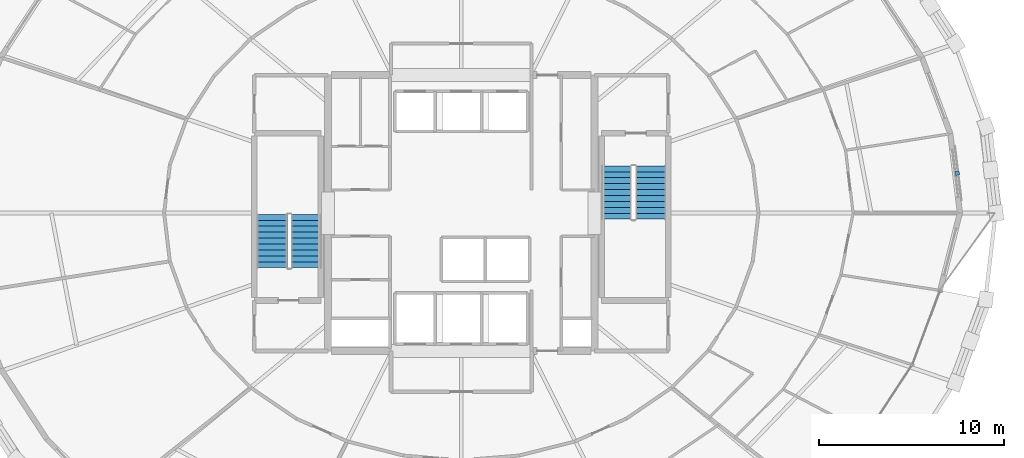
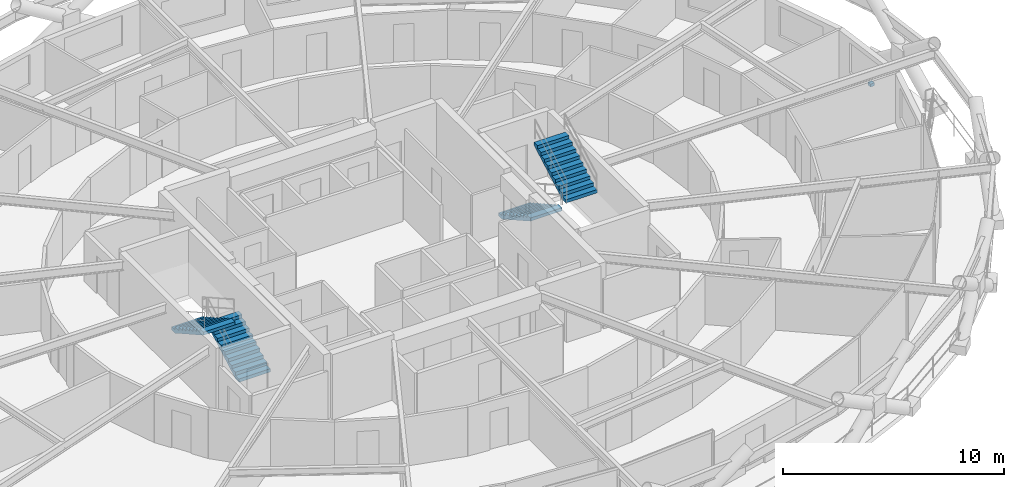
# One storey, part 20 of 23: 4 stair flights, 1 discrete accessory, 2 elements without a shape of their own.
"""IFC4 building model written with IfcOpenShell, lengths in metres."""

import ifcopenshell
import ifcopenshell.guid

model = None  # the IFC model being written
_history = None  # IfcOwnerHistory: only IFC2X3 demands one
_inside = {}  # id of a spatial element -> (the spatial element, [elements in it])
_under = {}  # id of a project, library or spatial element -> (it, [spatial elements below it])
_declared = {}  # id of a project -> (the project, [libraries it declares])
_typed = {}  # id of a type object -> (the type object, [elements of that type])
_made_of = {}  # id of a material, layer set ... -> (it, [elements and type objects made of it])


def new_model(schema):
    """Start an empty IFC model of exactly this schema.

    Asked for "IFC4X3", IfcOpenShell would pick the latest addendum, in which some entities
    have other attributes; the version numbers below select the first issue.
    IFC2X3 requires an IfcOwnerHistory on every rooted entity: one is made here for all.
    """
    global model, _history
    if schema == "IFC4X3":
        model = ifcopenshell.file(schema_version=(4, 3, 0, 0))
    else:
        model = ifcopenshell.file(schema=schema)
    _inside.clear()
    _under.clear()
    _declared.clear()
    _typed.clear()
    _made_of.clear()
    _history = None
    if model.schema == "IFC2X3":
        org = make("IfcOrganization", Name="unknown")
        user = make(
            "IfcPersonAndOrganization",
            ThePerson=make("IfcPerson", FamilyName="unknown"),
            TheOrganization=org,
        )
        app = make(
            "IfcApplication",
            ApplicationDeveloper=org,
            Version="unknown",
            ApplicationFullName="unknown",
            ApplicationIdentifier="unknown",
        )
        _history = make(
            "IfcOwnerHistory",
            OwningUser=user,
            OwningApplication=app,
            ChangeAction="ADDED",
            CreationDate=0,
        )
    return model


def make(cls, **values):
    """One entity of the class cls with the attributes given. An attribute that is None is left unset."""
    return model.create_entity(
        cls, **{name: value for name, value in values.items() if value is not None}
    )


def rooted(cls, **values):
    """An entity with a GlobalId (a new one), such as an element, a storey or a relation."""
    return make(cls, GlobalId=ifcopenshell.guid.new(), OwnerHistory=_history, **values)


def si_unit(unit_type, name, prefix=None):
    """IfcSIUnit, for example si_unit("LENGTHUNIT", "METRE", prefix="MILLI")."""
    return make("IfcSIUnit", UnitType=unit_type, Prefix=prefix, Name=name)


def assignment(units):
    """IfcUnitAssignment: the units of a project."""
    return None if units is None else make("IfcUnitAssignment", Units=units)


def point(xyz):
    """IfcCartesianPoint."""
    return None if xyz is None else make("IfcCartesianPoint", Coordinates=xyz)


def direction(xyz):
    """IfcDirection."""
    return None if xyz is None else make("IfcDirection", DirectionRatios=xyz)


def frame(location, z_axis=None, x_axis=None):
    """IfcAxis2Placement3D, a coordinate frame: its origin and axes. An axis left out is left unset."""
    return make(
        "IfcAxis2Placement3D",
        Location=point(location),
        Axis=direction(z_axis),
        RefDirection=direction(x_axis),
    )


def frame_2d(location, x_axis=None):
    """IfcAxis2Placement2D, a coordinate frame in the plane: its origin and x axis."""
    return make(
        "IfcAxis2Placement2D", Location=point(location), RefDirection=direction(x_axis)
    )


def origin():
    """The frame at (0, 0, 0) with its axes left unset."""
    return frame((0.0, 0.0, 0.0))


def origin_2d():
    """The frame at (0, 0) in the plane with its x axis left unset."""
    return frame_2d((0.0, 0.0))


def place(relative_to, where):
    """IfcLocalPlacement: puts the frame where relative to a parent placement (None: the world)."""
    return make(
        "IfcLocalPlacement", PlacementRelTo=relative_to, RelativePlacement=where
    )


def context(
    kind, dimensions, precision=None, world=None, true_north=None, identifier=None
):
    """IfcGeometricRepresentationContext, for example the 3D "Model" context."""
    return make(
        "IfcGeometricRepresentationContext",
        ContextIdentifier=identifier,
        ContextType=kind,
        CoordinateSpaceDimension=dimensions,
        Precision=precision,
        WorldCoordinateSystem=world,
        TrueNorth=true_north,
    )


def subcontext(parent, identifier, kind, view, scale=None):
    """IfcGeometricRepresentationSubContext, for example "Body" below "Model"."""
    return make(
        "IfcGeometricRepresentationSubContext",
        ContextIdentifier=identifier,
        ContextType=kind,
        ParentContext=parent,
        TargetScale=scale,
        TargetView=view,
    )


def project(units=None, contexts=None):
    """IfcProject with its units and contexts."""
    return rooted(
        "IfcProject",
        Name="project",
        RepresentationContexts=contexts,
        UnitsInContext=assignment(units),
    )


def spatial(cls, under=None, at=None, **own):
    """A site, building, storey or space (cls), placed at a placement, below another one or the project."""
    s = rooted(cls, ObjectPlacement=at, **own)
    if under is not None:
        _under.setdefault(under.id(), (under, []))[1].append(s)
    return s


def polyline(points):
    """IfcPolyline through the points."""
    return make("IfcPolyline", Points=[point(p) for p in points])


def profile(cls, at=None, kind="AREA", **sizes):
    """A parametric profile (cls). Its sizes go by their IFC names, for example OverallWidth=200.0."""
    return make(cls, ProfileType=kind, Position=at, **sizes)


def rectangle(**sizes):
    """IfcRectangleProfileDef."""
    return profile("IfcRectangleProfileDef", **sizes)


def outline(outer, holes=None, kind="AREA"):
    """IfcArbitraryClosedProfileDef: a profile drawn as a closed curve; with holes, ...WithVoids."""
    if holes is None:
        return make("IfcArbitraryClosedProfileDef", ProfileType=kind, OuterCurve=outer)
    return make(
        "IfcArbitraryProfileDefWithVoids",
        ProfileType=kind,
        OuterCurve=outer,
        InnerCurves=holes,
    )


def extrude(swept, where, along, depth):
    """IfcExtrudedAreaSolid: the profile swept, set in the frame where, extruded along a direction by depth."""
    return make(
        "IfcExtrudedAreaSolid",
        SweptArea=swept,
        Position=where,
        ExtrudedDirection=direction(along),
        Depth=depth,
    )


def shape(context_of_items, identifier, shape_type, items):
    """IfcShapeRepresentation: the items that make up one representation, for example the "Body"."""
    return make(
        "IfcShapeRepresentation",
        ContextOfItems=context_of_items,
        RepresentationIdentifier=identifier,
        RepresentationType=shape_type,
        Items=items,
    )


def material(Name=None, Category=None):
    """IfcMaterial."""
    return make("IfcMaterial", Name=Name, Category=Category)


def made_of(thing, what):
    """Note that an element or type object is made of a material, layer set ...; save() writes the relation."""
    if what is not None:
        _made_of.setdefault(what.id(), (what, []))[1].append(thing)
    return thing


def type_object(cls, material=None, **own):
    """A type object (cls), such as IfcWallType, which elements share."""
    return made_of(rooted(cls, **own), material)


def element(
    cls,
    number,
    at=None,
    inside=None,
    cuts=None,
    type_object=None,
    material=None,
    context=None,
    identifier="Body",
    shape_type=None,
    held_by="IfcProductDefinitionShape",
    body=None,
    shapes=None,
    **own,
):
    """One element of the class cls, such as IfcWall. Its Tag is "e" and its number.

    at: its placement. inside: the storey or other place that contains it. cuts: it is an
    opening in that element (IfcRelVoidsElement). A single representation is given by context,
    identifier, shape_type and body (its items); several are given by shapes. held_by: the class
    of the entity that holds the representations. save() writes the other relations.
    """
    e = rooted(cls, Tag="e%d" % number, ObjectPlacement=at, **own)
    if body is not None:
        shapes = [shape(context, identifier, shape_type, body)]
    if shapes is not None:
        e.Representation = make(held_by, Representations=shapes)
    if inside is not None:
        _inside.setdefault(inside.id(), (inside, []))[1].append(e)
    if cuts is not None:
        rooted(
            "IfcRelVoidsElement", RelatingBuildingElement=cuts, RelatedOpeningElement=e
        )
    if type_object is not None:
        _typed.setdefault(type_object.id(), (type_object, []))[1].append(e)
    return made_of(e, material)


def aggregate(whole, parts):
    """IfcRelAggregates: a whole, such as a stair, and the parts it consists of."""
    return rooted("IfcRelAggregates", RelatingObject=whole, RelatedObjects=parts)


def save(model, path):
    """Write the relations noted so far, then the file.

    IfcRelAggregates (storeys below a building ...), IfcRelContainedInSpatialStructure (elements
    in a storey), IfcRelDefinesByType, IfcRelAssociatesMaterial and IfcRelDeclares: one each for
    every whole, place, type object, material and project.
    """
    for whole, parts in _under.values():
        aggregate(whole, parts)
    for where, things in _inside.values():
        rooted(
            "IfcRelContainedInSpatialStructure",
            RelatedElements=things,
            RelatingStructure=where,
        )
    for kind, things in _typed.values():
        rooted("IfcRelDefinesByType", RelatedObjects=things, RelatingType=kind)
    for what, things in _made_of.values():
        rooted("IfcRelAssociatesMaterial", RelatedObjects=things, RelatingMaterial=what)
    for by, libraries in _declared.values():
        rooted("IfcRelDeclares", RelatingContext=by, RelatedDefinitions=libraries)
    model.write(path)


model = new_model("IFC4")

# Units and contexts
model_context = context("Model", 3, precision=1e-05, world=origin(), true_north=direction((0.0, 1.0)))
body_context = subcontext(model_context, "Body", "Model", "MODEL_VIEW")
ifc_project = project(units=[si_unit("LENGTHUNIT", "METRE"), si_unit("AREAUNIT", "SQUARE_METRE"), si_unit("VOLUMEUNIT", "CUBIC_METRE"), si_unit("PLANEANGLEUNIT", "RADIAN"), si_unit("MASSUNIT", "GRAM", prefix="KILO")], contexts=[model_context])

# Site, building, storey
site_placement = place(None, origin())
site = spatial("IfcSite", under=ifc_project, at=site_placement, CompositionType="ELEMENT")
building_placement = place(site_placement, origin())
building = spatial("IfcBuilding", under=site, at=building_placement, Name="Veldorina Hangang Commons", CompositionType="ELEMENT")
storey_placement = place(building_placement, frame((0.0, 0.0, 95.199951171875)))
storey = spatial("IfcBuildingStorey", under=building, at=storey_placement, Name="L24", CompositionType="ELEMENT", Elevation=95.199951171875)

# Stair, stair flights
ifc_material_1 = material(Name="Concrete C40/50", Category="concrete")
stair_type = type_object("IfcStairType", Name="STR-DOG-1650-20R", PredefinedType="HALF_TURN_STAIR", material=ifc_material_1)
stair_1_placement = place(storey_placement, origin())
stair_1 = element("IfcStair", 1, at=stair_1_placement, inside=storey, type_object=stair_type, Name="L24 Exit stair ST-1", PredefinedType="HALF_TURN_STAIR")
stair_flight_type = type_object("IfcStairFlightType", Name="SFL-STR-1650-20R", PredefinedType="STRAIGHT", material=ifc_material_1)
stair_flight_1_placement = place(storey_placement, frame((23.625, 21.050048828125, 0.0), z_axis=(0.0, 0.0, 1.0), x_axis=(0.0, 1.0, 0.0)))
stair_flight_1 = element("IfcStairFlight", 2, at=stair_flight_1_placement, type_object=stair_flight_type, Name="ST-1 flight 1", NumberOfRisers=10, NumberOfTreads=9, PredefinedType="STRAIGHT", RiserHeight=0.18, TreadLength=0.32, context=body_context, shape_type="SweptSolid", body=[
    extrude(outline(polyline([(0.0, 0.0), (0.0, 0.179931640625), (0.320068359375, 0.179931640625), (0.320068359375, 0.360107421875), (0.639892578125, 0.360107421875), (0.639892578125, 0.5400390625), (0.9599609375, 0.5400390625), (0.9599609375, 0.719970703125), (1.280029296875, 0.719970703125), (1.280029296875, 0.89990234375), (1.60009765625, 0.89990234375), (1.60009765625, 1.080078125), (1.919921875, 1.080078125), (1.919921875, 1.260009765625), (2.239990234375, 1.260009765625), (2.239990234375, 1.43994140625), (2.56005859375, 1.43994140625), (2.56005859375, 1.6201171875), (2.8798828125, 1.6201171875), (2.8798828125, 1.800048828125), (2.8798828125, 1.447998046875), (0.3056640625, 0.0), (0.0, 0.0)])), frame((0.0, 0.824951171875, 0.0), z_axis=(0.0, -1.0, 0.0), x_axis=(1.0, 0.0, 0.0)), (0.0, 0.0, 1.0), 1.64990234375),
])
stair_flight_2_placement = place(storey_placement, frame((21.77490234375, 23.929931640625, 1.800048828125), z_axis=(0.0, 0.0, 1.0), x_axis=(0.0, -1.0, 0.0)))
stair_flight_2 = element("IfcStairFlight", 3, at=stair_flight_2_placement, type_object=stair_flight_type, Name="ST-1 flight 2", NumberOfRisers=10, NumberOfTreads=9, PredefinedType="STRAIGHT", RiserHeight=0.18, TreadLength=0.32, context=body_context, shape_type="SweptSolid", body=[
    extrude(outline(polyline([(0.0, 0.0), (0.0, 0.179931640625), (0.320068359375, 0.179931640625), (0.320068359375, 0.360107421875), (0.639892578125, 0.360107421875), (0.639892578125, 0.5400390625), (0.9599609375, 0.5400390625), (0.9599609375, 0.719970703125), (1.280029296875, 0.719970703125), (1.280029296875, 0.89990234375), (1.60009765625, 0.89990234375), (1.60009765625, 1.080078125), (1.919921875, 1.080078125), (1.919921875, 1.260009765625), (2.239990234375, 1.260009765625), (2.239990234375, 1.43994140625), (2.56005859375, 1.43994140625), (2.56005859375, 1.6201171875), (2.8798828125, 1.6201171875), (2.8798828125, 1.800048828125), (2.8798828125, 1.447998046875), (0.3056640625, 0.0), (0.0, 0.0)])), frame((0.0, 0.824951171875, 0.0), z_axis=(0.0, -1.0, 0.0), x_axis=(1.0, 0.0, 0.0)), (0.0, 0.0, 1.0), 1.64990234375),
])
aggregate(stair_1, [stair_flight_1, stair_flight_2])

stair_2_placement = place(storey_placement, origin())
stair_2 = element("IfcStair", 4, at=stair_2_placement, inside=storey, type_object=stair_type, Name="L24 Exit stair ST-2", PredefinedType="HALF_TURN_STAIR")
stair_flight_3_placement = place(storey_placement, frame((40.375, 26.550048828125, 0.0), z_axis=(0.0, 0.0, 1.0), x_axis=(0.0, -1.0, 0.0)))
stair_flight_3 = element("IfcStairFlight", 5, at=stair_flight_3_placement, type_object=stair_flight_type, Name="ST-2 flight 1", NumberOfRisers=10, NumberOfTreads=9, PredefinedType="STRAIGHT", RiserHeight=0.18, TreadLength=0.32, context=body_context, shape_type="SweptSolid", body=[
    extrude(outline(polyline([(0.0, 0.0), (0.0, 0.179931640625), (0.320068359375, 0.179931640625), (0.320068359375, 0.360107421875), (0.639892578125, 0.360107421875), (0.639892578125, 0.5400390625), (0.9599609375, 0.5400390625), (0.9599609375, 0.719970703125), (1.280029296875, 0.719970703125), (1.280029296875, 0.89990234375), (1.60009765625, 0.89990234375), (1.60009765625, 1.080078125), (1.919921875, 1.080078125), (1.919921875, 1.260009765625), (2.239990234375, 1.260009765625), (2.239990234375, 1.43994140625), (2.56005859375, 1.43994140625), (2.56005859375, 1.6201171875), (2.8798828125, 1.6201171875), (2.8798828125, 1.800048828125), (2.8798828125, 1.447998046875), (0.3056640625, 0.0), (0.0, 0.0)])), frame((0.0, 0.824951171875, 0.0), z_axis=(0.0, -1.0, 0.0), x_axis=(1.0, 0.0, 0.0)), (0.0, 0.0, 1.0), 1.64990234375),
])
stair_flight_4_placement = place(storey_placement, frame((42.22509765625, 23.669921875, 1.800048828125), z_axis=(0.0, 0.0, 1.0), x_axis=(0.0, 1.0, 0.0)))
stair_flight_4 = element("IfcStairFlight", 6, at=stair_flight_4_placement, type_object=stair_flight_type, Name="ST-2 flight 2", NumberOfRisers=10, NumberOfTreads=9, PredefinedType="STRAIGHT", RiserHeight=0.18, TreadLength=0.32, context=body_context, shape_type="SweptSolid", body=[
    extrude(outline(polyline([(0.0, 0.0), (0.0, 0.179931640625), (0.320068359375, 0.179931640625), (0.320068359375, 0.360107421875), (0.639892578125, 0.360107421875), (0.639892578125, 0.5400390625), (0.9599609375, 0.5400390625), (0.9599609375, 0.719970703125), (1.280029296875, 0.719970703125), (1.280029296875, 0.89990234375), (1.60009765625, 0.89990234375), (1.60009765625, 1.080078125), (1.919921875, 1.080078125), (1.919921875, 1.260009765625), (2.239990234375, 1.260009765625), (2.239990234375, 1.43994140625), (2.56005859375, 1.43994140625), (2.56005859375, 1.6201171875), (2.8798828125, 1.6201171875), (2.8798828125, 1.800048828125), (2.8798828125, 1.447998046875), (0.3056640625, 0.0), (0.0, 0.0)])), frame((0.0, 0.824951171875, 0.0), z_axis=(0.0, -1.0, 0.0), x_axis=(1.0, 0.0, 0.0)), (0.0, 0.0, 1.0), 1.64990234375),
])
aggregate(stair_2, [stair_flight_3, stair_flight_4])

# Discrete accessory
ifc_material_2 = material(Name="Stainless Steel Brushed 316", Category="steel")
discrete_accessory_type = type_object("IfcDiscreteAccessoryType", Name="BRK-SCR-SS", PredefinedType="BRACKET", material=ifc_material_2)
discrete_accessory_placement = place(storey_placement, frame((58.78955078125, 26.15673828125, 0.72021484375), z_axis=(0.0, 0.0, 1.0), x_axis=(-0.119876931456, 0.992788759659, 0.0)))
element("IfcDiscreteAccessory", 7, at=discrete_accessory_placement, inside=storey, type_object=discrete_accessory_type, Name="L24 solar screen support bracket 00", PredefinedType="BRACKET", context=body_context, shape_type="SweptSolid", body=[
    extrude(rectangle(XDim=0.219970703125, YDim=0.219970703125, at=origin_2d()), origin(), (0.0, 0.0, 1.0), 0.159912109375),
])

save(model, "model.ifc")
